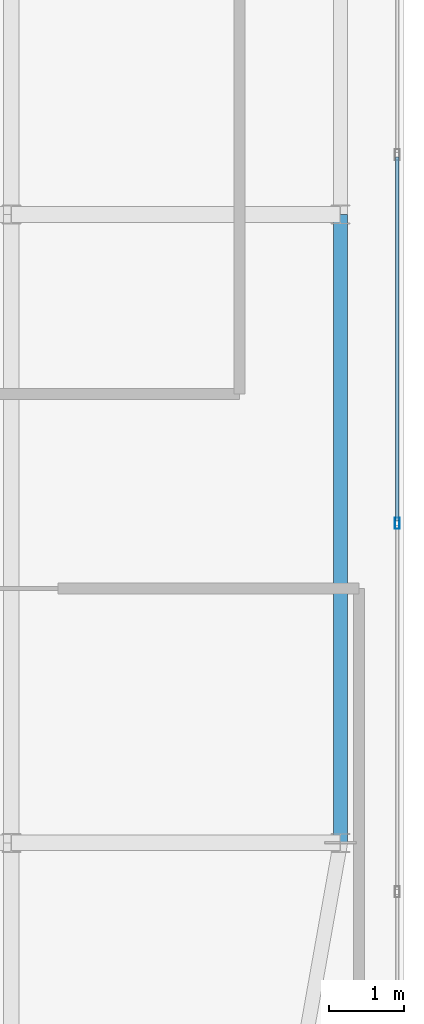
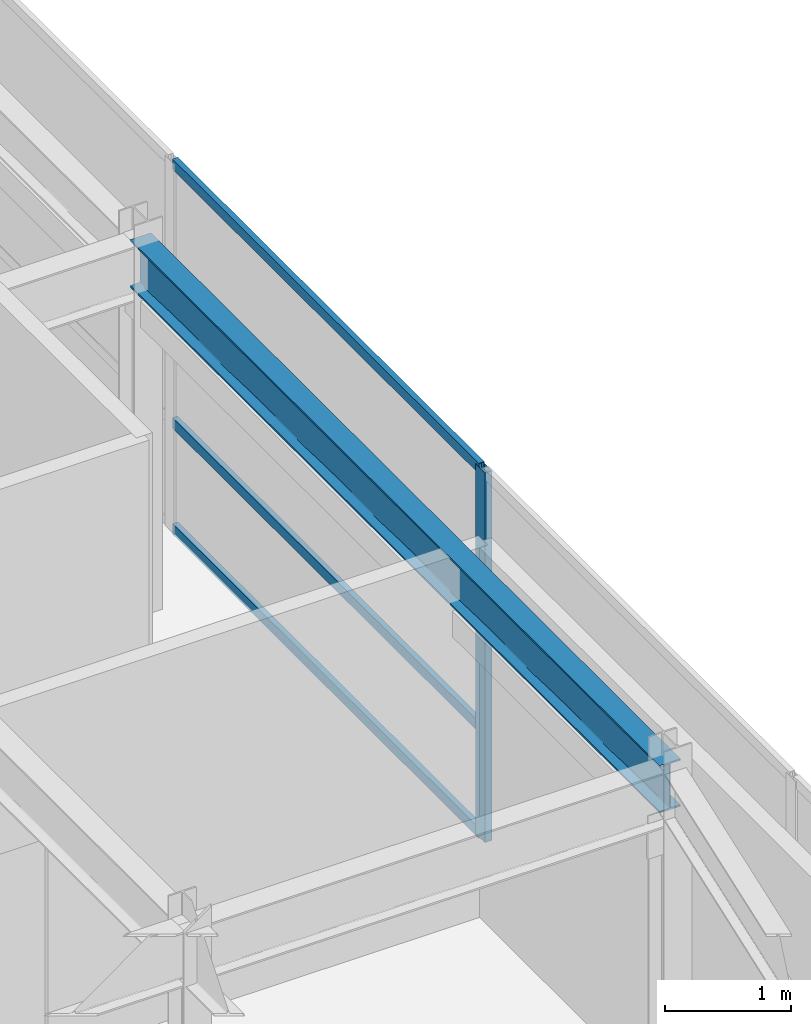
# One storey, part 22 of 36: 4 members, 1 beam, 1 element without a shape of its own.
"""IFC4 building model written with IfcOpenShell, lengths in metres."""

from ifc_helpers import new_model, si_unit, direction, frame, origin, origin_2d, place, context, subcontext, project, spatial, hollow_rectangle, i_section, extrude, source, transform, mapped, material, layer, layer_set, material_profile, profile_set, type_object, type_shapes, element, aggregate, save


model = new_model("IFC4")

# Units and contexts
model_context = context("Model", 3, precision=1e-05, world=origin(), true_north=direction((0.0, 1.0)))
body_context = subcontext(model_context, "Body", "Model", "MODEL_VIEW")
ifc_project = project(units=[si_unit("LENGTHUNIT", "METRE"), si_unit("AREAUNIT", "SQUARE_METRE"), si_unit("VOLUMEUNIT", "CUBIC_METRE"), si_unit("PLANEANGLEUNIT", "RADIAN"), si_unit("MASSUNIT", "GRAM", prefix="KILO")], contexts=[model_context])

# Site, building, storey
site_placement = place(None, origin())
site = spatial("IfcSite", under=ifc_project, at=site_placement, CompositionType="ELEMENT")
building_placement = place(site_placement, origin())
building = spatial("IfcBuilding", under=site, at=building_placement, Name="Tolvann Quenvar Hotel", CompositionType="ELEMENT")
storey_placement = place(building_placement, frame((0.0, 0.0, 306.14990234375)))
storey = spatial("IfcBuildingStorey", under=building, at=storey_placement, Name="L81", CompositionType="ELEMENT", Elevation=306.14990234375)

# Beam
ifc_material_1 = material(Name="Steel Grade 350", Category="steel")
ifc_material_profile_1 = material_profile(ifc_material_1, i_section(OverallWidth=0.19091796875, OverallDepth=0.4599609375, WebThickness=0.010009765625, FlangeThickness=0.01611328125, FilletRadius=0.011474609375, at=origin_2d()), Name="460UB82")
ifc_profile_set_1 = profile_set([ifc_material_profile_1], Name="Steel Grade 350")
beam_type = type_object("IfcBeamType", Name="BM_SPAND_460UB82", PredefinedType="SPANDREL", material=ifc_profile_set_1)
shared_shape_1 = source(origin(), body_context, "Body", "SweptSolid", [
    extrude(i_section(OverallWidth=0.19091796875, OverallDepth=0.4599609375, WebThickness=0.010009765625, FlangeThickness=0.01611328125, FilletRadius=0.011474609375, at=origin_2d()), origin(), (0.0, 0.0, 1.0), 8.39990234375),
])
type_shapes(beam_type, [shared_shape_1])
beam_placement = place(storey_placement, frame((37.14990234375, 16.0, 3.35009765625), z_axis=(0.0, 1.0, 0.0), x_axis=(-1.0, 0.0, 0.0)))
element("IfcBeam", 1, at=beam_placement, inside=storey, type_object=beam_type, Name="BM-L81-NS-G4-G5", PredefinedType="SPANDREL", context=body_context, shape_type="MappedRepresentation", body=[
    mapped(shared_shape_1, transform((0.0, 0.0, 0.0), x_axis=(1.0, 0.0, 0.0), y_axis=(0.0, 1.0, 0.0), z_axis=(0.0, 0.0, 1.0), scale=1.0)),
])

# Curtain wall, members
ifc_material_2 = material(Name="Thermally broken anodised architectural aluminium 6063-T6 and laminated low-E glass", Category="aluminium")
ifc_layer = layer(ifc_material_2, 0.179931640625)
ifc_layer_set = layer_set([ifc_layer], Name="Thermally broken anodised architectural aluminium 6063-T6 and laminated low-E glass")
curtain_wall_type = type_object("IfcCurtainWallType", Name="CW_SYS_LANT_06", PredefinedType="USERDEFINED", material=ifc_layer_set)
curtain_wall_placement = place(storey_placement, origin())
curtain_wall = element("IfcCurtainWall", 2, at=curtain_wall_placement, inside=storey, type_object=curtain_wall_type, Name="Curtain Wall CW-LANT-06 (CWR-L81-E09)", ObjectType="UNITISED CURTAIN WALL", PredefinedType="USERDEFINED")
ifc_material_3 = material(Name="Anodised architectural aluminium 6063-T6 framing", Category="aluminium")
ifc_material_profile_2 = material_profile(ifc_material_3, hollow_rectangle(XDim=0.06494140625, YDim=0.14990234375, WallThickness=0.00390625, at=origin_2d()), Name="150x65x4RHS")
ifc_profile_set_2 = profile_set([ifc_material_profile_2], Name="Anodised architectural aluminium 6063-T6 framing")
member_type_1 = type_object("IfcMemberType", Name="CW_MULL_150x65", PredefinedType="MULLION", material=ifc_profile_set_2)
shared_shape_2 = source(origin(), body_context, "Body", "SweptSolid", [
    extrude(hollow_rectangle(XDim=0.06494140625, YDim=0.14990234375, WallThickness=0.00390625, at=origin_2d()), origin(), (0.0, 0.0, 1.0), 3.580078125),
])
type_shapes(member_type_1, [shared_shape_2])
member_1_placement = place(storey_placement, frame((37.909912109375, 20.2724609375, 0.0), z_axis=(0.0, 0.0, 1.0), x_axis=(-1.0, 0.0, 0.0)))
member_1 = element("IfcMember", 3, at=member_1_placement, type_object=member_type_1, Name="CW-LANT-06 mullion 3", PredefinedType="MULLION", context=body_context, shape_type="MappedRepresentation", body=[
    mapped(shared_shape_2, transform((0.0, 0.0, 0.0), x_axis=(1.0, 0.0, 0.0), y_axis=(0.0, 1.0, 0.0), z_axis=(0.0, 0.0, 1.0), scale=1.0)),
])
ifc_material_profile_3 = material_profile(ifc_material_3, hollow_rectangle(XDim=0.050048828125, YDim=0.10009765625, WallThickness=0.0029296875, at=origin_2d()), Name="100x50x3RHS")
ifc_profile_set_3 = profile_set([ifc_material_profile_3], Name="Anodised architectural aluminium 6063-T6 framing")
member_type_2 = type_object("IfcMemberType", Name="CW_TRAN_100x50", PredefinedType="USERDEFINED", material=ifc_profile_set_3)
shared_shape_3 = source(origin(), body_context, "Body", "SweptSolid", [
    extrude(hollow_rectangle(XDim=0.050048828125, YDim=0.10009765625, WallThickness=0.0029296875, at=origin_2d()), origin(), (0.0, 0.0, 1.0), 4.862548828125),
])
type_shapes(member_type_2, [shared_shape_3])
member_2_placement = place(storey_placement, frame((37.909912109375, 20.304931640625, 0.025146484375), z_axis=(0.0, 1.0, 0.0), x_axis=(-1.0, 0.0, 0.0)))
member_2 = element("IfcMember", 4, at=member_2_placement, type_object=member_type_2, Name="CW-LANT-06 transom 3.1", ObjectType="TRANSOM", PredefinedType="USERDEFINED", context=body_context, shape_type="MappedRepresentation", body=[
    mapped(shared_shape_3, transform((0.0, 0.0, 0.0), x_axis=(1.0, 0.0, 0.0), y_axis=(0.0, 1.0, 0.0), z_axis=(0.0, 0.0, 1.0), scale=1.0)),
])
member_3_placement = place(storey_placement, frame((37.909912109375, 20.304931640625, 1.050048828125), z_axis=(0.0, 1.0, 0.0), x_axis=(-1.0, 0.0, 0.0)))
member_3 = element("IfcMember", 5, at=member_3_placement, type_object=member_type_2, Name="CW-LANT-06 transom 3.2", ObjectType="TRANSOM", PredefinedType="USERDEFINED", context=body_context, shape_type="MappedRepresentation", body=[
    mapped(shared_shape_3, transform((0.0, 0.0, 0.0), x_axis=(1.0, 0.0, 0.0), y_axis=(0.0, 1.0, 0.0), z_axis=(0.0, 0.0, 1.0), scale=1.0)),
])
member_4_placement = place(storey_placement, frame((37.909912109375, 20.304931640625, 3.55517578125), z_axis=(0.0, 1.0, 0.0), x_axis=(-1.0, 0.0, 0.0)))
member_4 = element("IfcMember", 6, at=member_4_placement, type_object=member_type_2, Name="CW-LANT-06 transom 3.3", ObjectType="TRANSOM", PredefinedType="USERDEFINED", context=body_context, shape_type="MappedRepresentation", body=[
    mapped(shared_shape_3, transform((0.0, 0.0, 0.0), x_axis=(1.0, 0.0, 0.0), y_axis=(0.0, 1.0, 0.0), z_axis=(0.0, 0.0, 1.0), scale=1.0)),
])
aggregate(curtain_wall, [member_1, member_2, member_3, member_4])

save(model, "model.ifc")
